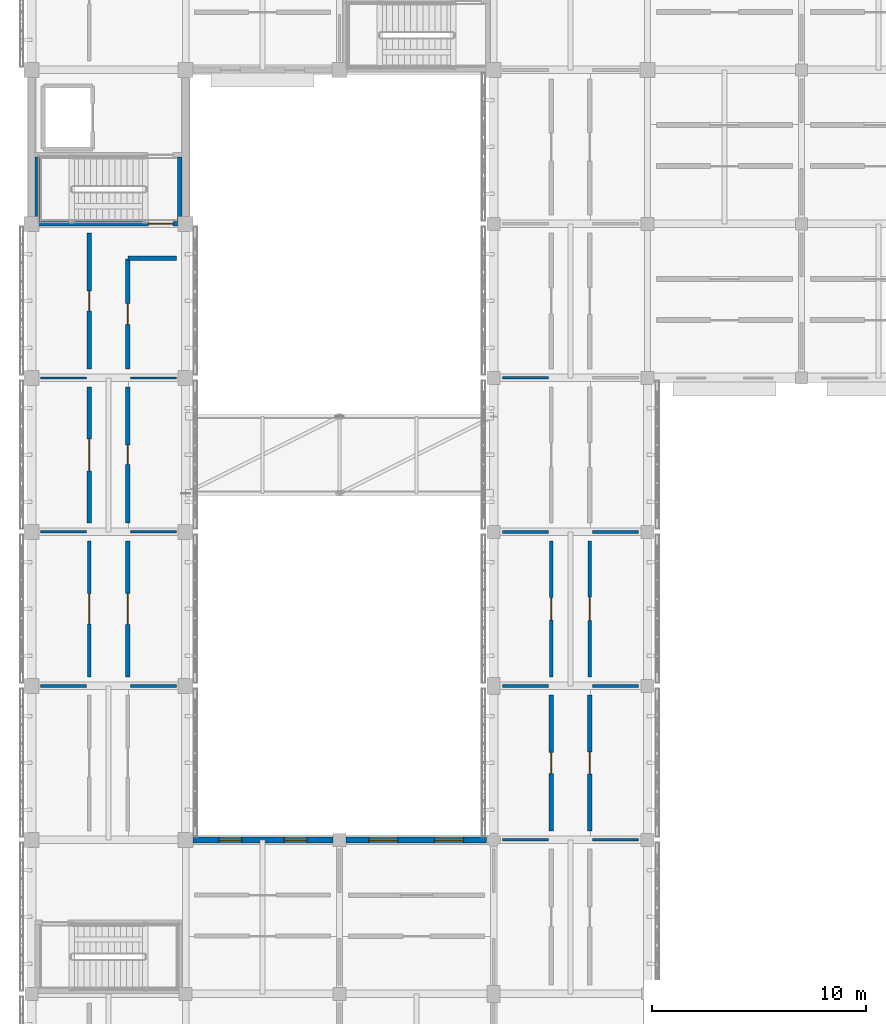
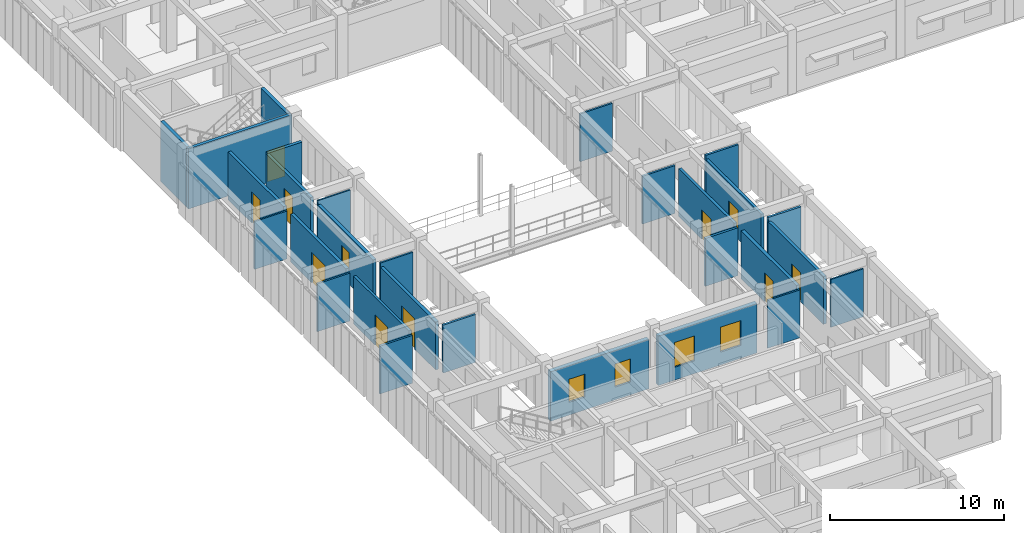
# One storey, part 123 of 171: 29 walls, 11 doors, 4 windows, 15 openings.
"""IFC4 building model written with IfcOpenShell, lengths in metres."""

from ifc_helpers import new_model, si_unit, direction, frame, frame_2d, origin, place, context, subcontext, project, spatial, rectangle, extrude, material, layer, layer_set, type_object, element, fill, save


model = new_model("IFC4")

# Units and contexts
model_context = context("Model", 3, precision=1e-05, world=origin(), true_north=direction((0.0, 1.0)))
body_context = subcontext(model_context, "Body", "Model", "MODEL_VIEW")
ifc_project = project(units=[si_unit("LENGTHUNIT", "METRE"), si_unit("AREAUNIT", "SQUARE_METRE"), si_unit("VOLUMEUNIT", "CUBIC_METRE"), si_unit("PLANEANGLEUNIT", "RADIAN"), si_unit("MASSUNIT", "GRAM", prefix="KILO")], contexts=[model_context])

# Site, building, storey
site_placement = place(None, origin())
site = spatial("IfcSite", under=ifc_project, at=site_placement, CompositionType="ELEMENT")
building_placement = place(site_placement, origin())
building = spatial("IfcBuilding", under=site, at=building_placement, Name="Aldebral Square Health Centre", CompositionType="ELEMENT")
storey_placement = place(building_placement, frame((0.0, 0.0, 4.5)))
storey = spatial("IfcBuildingStorey", under=building, at=storey_placement, Name="L01", CompositionType="ELEMENT", Elevation=4.5)

# Wall, openings, windows
ifc_material_1 = material(Name="Ochre mineral-rendered concrete C35/45 court wall", Category="concrete")
ifc_layer_1 = layer(ifc_material_1, 0.280029296875, Name="Ochre mineral-rendered concrete C35/45 court wall", Category="concrete")
ifc_layer_set_1 = layer_set([ifc_layer_1], Name="Ochre mineral-rendered concrete C35/45 court wall")
wall_type_1 = type_object("IfcWallType", Name="EW-OCH-280", PredefinedType="STANDARD", material=ifc_layer_set_1)
wall_1_placement = place(storey_placement, frame((14.10009765625, 64.800048828125, 0.0), z_axis=(0.0, 0.0, 1.0), x_axis=(-1.0, 0.0, 0.0)))
wall_1 = element("IfcWall", 1, at=wall_1_placement, inside=storey, type_object=wall_type_1, Name="L01 V4 exterior wall L01-V4-01-08-N", PredefinedType="STANDARD", context=body_context, shape_type="SweptSolid", body=[
    extrude(rectangle(XDim=6.550048828125, YDim=0.280029296875, at=frame_2d((3.27490234375, 0.0))), origin(), (0.0, 0.0, 1.0), 3.469970703125),
])
opening_1_placement = place(wall_1_placement, frame((1.22509765625, 0.0, 0.89990234375)))
opening_1 = element("IfcOpeningElement", 2, at=opening_1_placement, cuts=wall_1, Name="Opening W29", PredefinedType="OPENING", context=body_context, shape_type="SweptSolid", body=[
    extrude(rectangle(XDim=1.050048828125, YDim=1.6201171875, at=frame_2d((0.52490234375, 0.81005859375))), frame((0.0, 0.14990234375, 0.0), z_axis=(0.0, -1.0, 0.0), x_axis=(1.0, 0.0, 0.0)), (0.0, 0.0, 1.0), 0.300048828125),
])
opening_2_placement = place(wall_1_placement, frame((4.27490234375, 0.0, 0.89990234375)))
opening_2 = element("IfcOpeningElement", 3, at=opening_2_placement, cuts=wall_1, Name="Opening W29", PredefinedType="OPENING", context=body_context, shape_type="SweptSolid", body=[
    extrude(rectangle(XDim=1.050048828125, YDim=1.6201171875, at=frame_2d((0.52490234375, 0.81005859375))), frame((0.0, 0.14990234375, 0.0), z_axis=(0.0, -1.0, 0.0), x_axis=(1.0, 0.0, 0.0)), (0.0, 0.0, 1.0), 0.300048828125),
])
ifc_material_2 = material(Name="Thermally broken aluminium and low-E glass", Category="aluminium")
window_type_1 = type_object("IfcWindowType", Name="WIN-W29", PartitioningType="SINGLE_PANEL", PredefinedType="WINDOW", material=ifc_material_2)
window_1_placement = place(opening_1_placement, origin())
window_1 = element("IfcWindow", 4, at=window_1_placement, inside=storey, type_object=window_type_1, Name="L01 clinical window L01-V4-01-08-N.1", OverallHeight=1.6201171875, OverallWidth=1.050048828125, PartitioningType="SINGLE_PANEL", PredefinedType="WINDOW", context=body_context, shape_type="SweptSolid", body=[
    extrude(rectangle(XDim=1.050048828125, YDim=1.6201171875, at=frame_2d((0.52490234375, 0.81005859375))), frame((0.0, 0.030029296875, 0.0), z_axis=(0.0, -1.0, 0.0), x_axis=(1.0, 0.0, 0.0)), (0.0, 0.0, 1.0), 0.06005859375),
])
fill(opening_1, window_1)
window_2_placement = place(opening_2_placement, origin())
window_2 = element("IfcWindow", 5, at=window_2_placement, inside=storey, type_object=window_type_1, Name="L01 clinical window L01-V4-01-08-N.2", OverallHeight=1.6201171875, OverallWidth=1.050048828125, PartitioningType="SINGLE_PANEL", PredefinedType="WINDOW", context=body_context, shape_type="SweptSolid", body=[
    extrude(rectangle(XDim=1.050048828125, YDim=1.6201171875, at=frame_2d((0.52490234375, 0.81005859375))), frame((0.0, 0.030029296875, 0.0), z_axis=(0.0, -1.0, 0.0), x_axis=(1.0, 0.0, 0.0)), (0.0, 0.0, 1.0), 0.06005859375),
])
fill(opening_2, window_2)

wall_2_placement = place(storey_placement, frame((21.27490234375, 64.800048828125, 0.0), z_axis=(0.0, 0.0, 1.0), x_axis=(-1.0, 0.0, 0.0)))
wall_2 = element("IfcWall", 6, at=wall_2_placement, inside=storey, type_object=wall_type_1, Name="L01 V4 exterior wall L01-V4-02-08-N", PredefinedType="STANDARD", context=body_context, shape_type="SweptSolid", body=[
    extrude(rectangle(XDim=6.574951171875, YDim=0.280029296875, at=frame_2d((3.28759765625, 0.0))), origin(), (0.0, 0.0, 1.0), 3.469970703125),
])
opening_3_placement = place(wall_2_placement, frame((1.074951171875, 0.0, 0.89990234375)))
opening_3 = element("IfcOpeningElement", 7, at=opening_3_placement, cuts=wall_2, Name="Opening W40", PredefinedType="OPENING", context=body_context, shape_type="SweptSolid", body=[
    extrude(rectangle(XDim=1.35009765625, YDim=1.75, at=frame_2d((0.675048828125, 0.875))), frame((0.0, 0.14990234375, 0.0), z_axis=(0.0, -1.0, 0.0), x_axis=(1.0, 0.0, 0.0)), (0.0, 0.0, 1.0), 0.300048828125),
])
opening_4_placement = place(wall_2_placement, frame((4.14990234375, 0.0, 0.89990234375)))
opening_4 = element("IfcOpeningElement", 8, at=opening_4_placement, cuts=wall_2, Name="Opening W40", PredefinedType="OPENING", context=body_context, shape_type="SweptSolid", body=[
    extrude(rectangle(XDim=1.35009765625, YDim=1.75, at=frame_2d((0.675048828125, 0.875))), frame((0.0, 0.14990234375, 0.0), z_axis=(0.0, -1.0, 0.0), x_axis=(1.0, 0.0, 0.0)), (0.0, 0.0, 1.0), 0.300048828125),
])
window_type_2 = type_object("IfcWindowType", Name="WIN-W40", PartitioningType="SINGLE_PANEL", PredefinedType="WINDOW", material=ifc_material_2)
window_3_placement = place(opening_3_placement, origin())
window_3 = element("IfcWindow", 9, at=window_3_placement, inside=storey, type_object=window_type_2, Name="L01 clinical window L01-V4-02-08-N.1", OverallHeight=1.75, OverallWidth=1.35009765625, PartitioningType="SINGLE_PANEL", PredefinedType="WINDOW", context=body_context, shape_type="SweptSolid", body=[
    extrude(rectangle(XDim=1.35009765625, YDim=1.75, at=frame_2d((0.675048828125, 0.875))), frame((0.0, 0.030029296875, 0.0), z_axis=(0.0, -1.0, 0.0), x_axis=(1.0, 0.0, 0.0)), (0.0, 0.0, 1.0), 0.06005859375),
])
fill(opening_3, window_3)
window_4_placement = place(opening_4_placement, origin())
window_4 = element("IfcWindow", 10, at=window_4_placement, inside=storey, type_object=window_type_2, Name="L01 clinical window L01-V4-02-08-N.2", OverallHeight=1.75, OverallWidth=1.35009765625, PartitioningType="SINGLE_PANEL", PredefinedType="WINDOW", context=body_context, shape_type="SweptSolid", body=[
    extrude(rectangle(XDim=1.35009765625, YDim=1.75, at=frame_2d((0.675048828125, 0.875))), frame((0.0, 0.030029296875, 0.0), z_axis=(0.0, -1.0, 0.0), x_axis=(1.0, 0.0, 0.0)), (0.0, 0.0, 1.0), 0.06005859375),
])
fill(opening_4, window_4)

# Wall, opening, door
ifc_material_3 = material(Name="Concrete C35/45 compartment wall", Category="concrete")
ifc_layer_2 = layer(ifc_material_3, 0.199951171875, Name="Concrete C35/45 compartment wall", Category="concrete")
ifc_layer_set_2 = layer_set([ifc_layer_2], Name="Concrete C35/45 compartment wall")
wall_type_2 = type_object("IfcWallType", Name="IW-CMP-200", PredefinedType="SOLIDWALL", material=ifc_layer_set_2)
wall_3_placement = place(storey_placement, frame((2.699951171875, 86.820068359375, 0.0), z_axis=(0.0, 0.0, 1.0), x_axis=(0.0, 1.0, 0.0)))
wall_3 = element("IfcWall", 11, at=wall_3_placement, inside=storey, type_object=wall_type_2, Name="L01 Internal Medicine Clinic 1.13W corridor wall", PredefinedType="SOLIDWALL", context=body_context, shape_type="SweptSolid", body=[
    extrude(rectangle(XDim=6.35986328125, YDim=0.199951171875, at=frame_2d((3.179931640625, 0.0))), origin(), (0.0, 0.0, 1.0), 3.360107421875),
])
opening_5_placement = place(wall_3_placement, frame((2.7099609375, 0.0, 0.0)))
opening_5 = element("IfcOpeningElement", 12, at=opening_5_placement, cuts=wall_3, Name="Opening D-0271", PredefinedType="OPENING", context=body_context, shape_type="SweptSolid", body=[
    extrude(rectangle(XDim=0.93994140625, YDim=2.18994140625, at=frame_2d((0.469970703125, 1.094970703125))), frame((0.0, 0.10986328125, 0.0), z_axis=(0.0, -1.0, 0.0), x_axis=(1.0, 0.0, 0.0)), (0.0, 0.0, 1.0), 0.219970703125),
])
ifc_material_4 = material(Name="Clinical suite fire door")
door_type_1 = type_object("IfcDoorType", Name="ID-EXD-49", OperationType="NOTDEFINED", PredefinedType="DOOR", material=ifc_material_4)
door_1_placement = place(opening_5_placement, origin())
door_1 = element("IfcDoor", 13, at=door_1_placement, inside=storey, type_object=door_type_1, Name="L01 Internal Medicine Clinic 1.13W door", OperationType="SINGLE_SWING_RIGHT", OverallHeight=2.18994140625, OverallWidth=0.93994140625, PredefinedType="DOOR", context=body_context, shape_type="SweptSolid", body=[
    extrude(rectangle(XDim=0.93994140625, YDim=2.18994140625, at=frame_2d((0.469970703125, 1.094970703125))), frame((0.0, 0.02490234375, 0.0), z_axis=(0.0, -1.0, 0.0), x_axis=(1.0, 0.0, 0.0)), (0.0, 0.0, 1.0), 0.050048828125),
])
fill(opening_5, door_1)

wall_4_placement = place(storey_placement, frame((4.5, 86.820068359375, 0.0), z_axis=(0.0, 0.0, 1.0), x_axis=(0.0, 1.0, 0.0)))
wall_4 = element("IfcWall", 14, at=wall_4_placement, inside=storey, type_object=wall_type_2, Name="L01 Diabetic Foot Care Room 1.13E corridor wall", PredefinedType="SOLIDWALL", context=body_context, shape_type="SweptSolid", body=[
    extrude(rectangle(XDim=5.1298828125, YDim=0.199951171875, at=frame_2d((2.56494140625, 0.0))), origin(), (0.0, 0.0, 1.0), 3.360107421875),
])
opening_6_placement = place(wall_4_placement, frame((2.074951171875, 0.0, 0.0)))
opening_6 = element("IfcOpeningElement", 15, at=opening_6_placement, cuts=wall_4, Name="Opening D-0272", PredefinedType="OPENING", context=body_context, shape_type="SweptSolid", body=[
    extrude(rectangle(XDim=0.97998046875, YDim=2.18994140625, at=frame_2d((0.489990234375, 1.094970703125))), frame((0.0, 0.10986328125, 0.0), z_axis=(0.0, -1.0, 0.0), x_axis=(1.0, 0.0, 0.0)), (0.0, 0.0, 1.0), 0.219970703125),
])
door_type_2 = type_object("IfcDoorType", Name="ID-EXD-50", OperationType="NOTDEFINED", PredefinedType="DOOR", material=ifc_material_4)
door_2_placement = place(opening_6_placement, origin())
door_2 = element("IfcDoor", 16, at=door_2_placement, inside=storey, type_object=door_type_2, Name="L01 Diabetic Foot Care Room 1.13E door", OperationType="SINGLE_SWING_LEFT", OverallHeight=2.18994140625, OverallWidth=0.97998046875, PredefinedType="DOOR", context=body_context, shape_type="SweptSolid", body=[
    extrude(rectangle(XDim=0.97998046875, YDim=2.18994140625, at=frame_2d((0.489990234375, 1.094970703125))), frame((0.0, 0.02490234375, 0.0), z_axis=(0.0, -1.0, 0.0), x_axis=(1.0, 0.0, 0.0)), (0.0, 0.0, 1.0), 0.050048828125),
])
fill(opening_6, door_2)

wall_5_placement = place(storey_placement, frame((26.10009765625, 65.219970703125, 0.0), z_axis=(0.0, 0.0, 1.0), x_axis=(0.0, 1.0, 0.0)))
wall_5 = element("IfcWall", 17, at=wall_5_placement, inside=storey, type_object=wall_type_2, Name="L01 General Consulting Room 4.10E corridor wall", PredefinedType="SOLIDWALL", context=body_context, shape_type="SweptSolid", body=[
    extrude(rectangle(XDim=6.360107421875, YDim=0.199951171875, at=frame_2d((3.18017578125, 0.0))), origin(), (0.0, 0.0, 1.0), 3.360107421875),
])
opening_7_placement = place(wall_5_placement, frame((2.669921875, 0.0, 0.0)))
opening_7 = element("IfcOpeningElement", 18, at=opening_7_placement, cuts=wall_5, Name="Opening D-0294", PredefinedType="OPENING", context=body_context, shape_type="SweptSolid", body=[
    extrude(rectangle(XDim=1.02001953125, YDim=2.0400390625, at=frame_2d((0.510009765625, 1.02001953125))), frame((0.0, 0.10986328125, 0.0), z_axis=(0.0, -1.0, 0.0), x_axis=(1.0, 0.0, 0.0)), (0.0, 0.0, 1.0), 0.219970703125),
])
door_type_3 = type_object("IfcDoorType", Name="ID-EXD-03", OperationType="NOTDEFINED", PredefinedType="DOOR", material=ifc_material_4)
door_3_placement = place(opening_7_placement, origin())
door_3 = element("IfcDoor", 19, at=door_3_placement, inside=storey, type_object=door_type_3, Name="L01 General Consulting Room 4.10E door", OperationType="SINGLE_SWING_LEFT", OverallHeight=2.0400390625, OverallWidth=1.02001953125, PredefinedType="DOOR", context=body_context, shape_type="SweptSolid", body=[
    extrude(rectangle(XDim=1.02001953125, YDim=2.0400390625, at=frame_2d((0.510009765625, 1.02001953125))), frame((0.0, 0.02490234375, 0.0), z_axis=(0.0, -1.0, 0.0), x_axis=(1.0, 0.0, 0.0)), (0.0, 0.0, 1.0), 0.050048828125),
])
fill(opening_7, door_3)

ifc_layer_3 = layer(ifc_material_3, 0.219970703125, Name="Concrete C35/45 compartment wall", Category="concrete")
ifc_layer_set_3 = layer_set([ifc_layer_3], Name="Concrete C35/45 compartment wall")
wall_type_3 = type_object("IfcWallType", Name="IW-CMP-220", PredefinedType="SOLIDWALL", material=ifc_layer_set_3)
wall_6_placement = place(storey_placement, frame((4.5, 79.6201171875, 0.0), z_axis=(0.0, 0.0, 1.0), x_axis=(0.0, 1.0, 0.0)))
wall_6 = element("IfcWall", 20, at=wall_6_placement, inside=storey, type_object=wall_type_3, Name="L01 General Consulting Room 1.12E corridor wall", PredefinedType="SOLIDWALL", context=body_context, shape_type="SweptSolid", body=[
    extrude(rectangle(XDim=6.35986328125, YDim=0.219970703125, at=frame_2d((3.179931640625, 0.0))), origin(), (0.0, 0.0, 1.0), 3.360107421875),
])
opening_8_placement = place(wall_6_placement, frame((2.72998046875, 0.0, 0.0)))
opening_8 = element("IfcOpeningElement", 21, at=opening_8_placement, cuts=wall_6, Name="Opening D-0270", PredefinedType="OPENING", context=body_context, shape_type="SweptSolid", body=[
    extrude(rectangle(XDim=0.89990234375, YDim=2.18994140625, at=frame_2d((0.449951171875, 1.094970703125))), frame((0.0, 0.1201171875, 0.0), z_axis=(0.0, -1.0, 0.0), x_axis=(1.0, 0.0, 0.0)), (0.0, 0.0, 1.0), 0.239990234375),
])
door_type_4 = type_object("IfcDoorType", Name="ID-EXD-48", OperationType="NOTDEFINED", PredefinedType="DOOR", material=ifc_material_4)
door_4_placement = place(opening_8_placement, origin())
door_4 = element("IfcDoor", 22, at=door_4_placement, inside=storey, type_object=door_type_4, Name="L01 General Consulting Room 1.12E door", OperationType="SINGLE_SWING_LEFT", OverallHeight=2.18994140625, OverallWidth=0.89990234375, PredefinedType="DOOR", context=body_context, shape_type="SweptSolid", body=[
    extrude(rectangle(XDim=0.89990234375, YDim=2.18994140625, at=frame_2d((0.449951171875, 1.094970703125))), frame((0.0, 0.02490234375, 0.0), z_axis=(0.0, -1.0, 0.0), x_axis=(1.0, 0.0, 0.0)), (0.0, 0.0, 1.0), 0.050048828125),
])
fill(opening_8, door_4)

ifc_material_5 = material(Name="Fire-rated acoustic gypsum partition")
ifc_layer_4 = layer(ifc_material_5, 0.1650390625, Name="Fire-rated acoustic gypsum partition")
ifc_layer_set_4 = layer_set([ifc_layer_4], Name="Fire-rated acoustic gypsum partition")
wall_type_4 = type_object("IfcWallType", Name="IW-COR-165", PredefinedType="PARTITIONING", material=ifc_layer_set_4)
wall_7_placement = place(storey_placement, frame((2.699951171875, 72.419921875, 0.0), z_axis=(0.0, 0.0, 1.0), x_axis=(0.0, 1.0, 0.0)))
wall_7 = element("IfcWall", 23, at=wall_7_placement, inside=storey, type_object=wall_type_4, Name="L01 Outpatient Treatment Room 1.11W corridor wall", PredefinedType="PARTITIONING", context=body_context, shape_type="SweptSolid", body=[
    extrude(rectangle(XDim=6.360107421875, YDim=0.1650390625, at=frame_2d((3.18017578125, 0.0))), origin(), (0.0, 0.0, 1.0), 3.360107421875),
])
opening_9_placement = place(wall_7_placement, frame((2.469970703125, 0.0, 0.0)))
opening_9 = element("IfcOpeningElement", 24, at=opening_9_placement, cuts=wall_7, Name="Opening D-0267", PredefinedType="OPENING", context=body_context, shape_type="SweptSolid", body=[
    extrude(rectangle(XDim=1.419921875, YDim=2.139892578125, at=frame_2d((0.7099609375, 1.06982421875))), frame((0.0, 0.092529296875, 0.0), z_axis=(0.0, -1.0, 0.0), x_axis=(1.0, 0.0, 0.0)), (0.0, 0.0, 1.0), 0.18505859375),
])
door_type_5 = type_object("IfcDoorType", Name="ID-EXD-45", OperationType="NOTDEFINED", PredefinedType="DOOR", material=ifc_material_4)
door_5_placement = place(opening_9_placement, origin())
door_5 = element("IfcDoor", 25, at=door_5_placement, inside=storey, type_object=door_type_5, Name="L01 Outpatient Treatment Room 1.11W door", OperationType="SINGLE_SWING_RIGHT", OverallHeight=2.139892578125, OverallWidth=1.419921875, PredefinedType="DOOR", context=body_context, shape_type="SweptSolid", body=[
    extrude(rectangle(XDim=1.419921875, YDim=2.139892578125, at=frame_2d((0.7099609375, 1.06982421875))), frame((0.0, 0.02490234375, 0.0), z_axis=(0.0, -1.0, 0.0), x_axis=(1.0, 0.0, 0.0)), (0.0, 0.0, 1.0), 0.050048828125),
])
fill(opening_9, door_5)

ifc_layer_5 = layer(ifc_material_5, 0.179931640625, Name="Fire-rated acoustic gypsum partition")
ifc_layer_set_5 = layer_set([ifc_layer_5], Name="Fire-rated acoustic gypsum partition")
wall_type_5 = type_object("IfcWallType", Name="IW-COR-180", PredefinedType="PARTITIONING", material=ifc_layer_set_5)
wall_8_placement = place(storey_placement, frame((24.300048828125, 72.419921875, 0.0), z_axis=(0.0, 0.0, 1.0), x_axis=(0.0, 1.0, 0.0)))
wall_8 = element("IfcWall", 26, at=wall_8_placement, inside=storey, type_object=wall_type_5, Name="L01 Internal Medicine Clinic 4.11W corridor wall", PredefinedType="PARTITIONING", context=body_context, shape_type="SweptSolid", body=[
    extrude(rectangle(XDim=6.360107421875, YDim=0.179931640625, at=frame_2d((3.18017578125, 0.0))), origin(), (0.0, 0.0, 1.0), 3.360107421875),
])
opening_10_placement = place(wall_8_placement, frame((2.64990234375, 0.0, 0.0)))
opening_10 = element("IfcOpeningElement", 27, at=opening_10_placement, cuts=wall_8, Name="Opening D-0295", PredefinedType="OPENING", context=body_context, shape_type="SweptSolid", body=[
    extrude(rectangle(XDim=1.06005859375, YDim=2.0400390625, at=frame_2d((0.530029296875, 1.02001953125))), frame((0.0, 0.10009765625, 0.0), z_axis=(0.0, -1.0, 0.0), x_axis=(1.0, 0.0, 0.0)), (0.0, 0.0, 1.0), 0.199951171875),
])
door_type_6 = type_object("IfcDoorType", Name="ID-EXD-04", OperationType="NOTDEFINED", PredefinedType="DOOR", material=ifc_material_4)
door_6_placement = place(opening_10_placement, origin())
door_6 = element("IfcDoor", 28, at=door_6_placement, inside=storey, type_object=door_type_6, Name="L01 Internal Medicine Clinic 4.11W door", OperationType="SINGLE_SWING_RIGHT", OverallHeight=2.0400390625, OverallWidth=1.06005859375, PredefinedType="DOOR", context=body_context, shape_type="SweptSolid", body=[
    extrude(rectangle(XDim=1.06005859375, YDim=2.0400390625, at=frame_2d((0.530029296875, 1.02001953125))), frame((0.0, 0.02490234375, 0.0), z_axis=(0.0, -1.0, 0.0), x_axis=(1.0, 0.0, 0.0)), (0.0, 0.0, 1.0), 0.050048828125),
])
fill(opening_10, door_6)

wall_9_placement = place(storey_placement, frame((26.10009765625, 72.419921875, 0.0), z_axis=(0.0, 0.0, 1.0), x_axis=(0.0, 1.0, 0.0)))
wall_9 = element("IfcWall", 29, at=wall_9_placement, inside=storey, type_object=wall_type_5, Name="L01 Diabetic Foot Care Room 4.11E corridor wall", PredefinedType="PARTITIONING", context=body_context, shape_type="SweptSolid", body=[
    extrude(rectangle(XDim=6.360107421875, YDim=0.179931640625, at=frame_2d((3.18017578125, 0.0))), origin(), (0.0, 0.0, 1.0), 3.360107421875),
])
opening_11_placement = place(wall_9_placement, frame((2.6298828125, 0.0, 0.0)))
opening_11 = element("IfcOpeningElement", 30, at=opening_11_placement, cuts=wall_9, Name="Opening D-0296", PredefinedType="OPENING", context=body_context, shape_type="SweptSolid", body=[
    extrude(rectangle(XDim=1.10009765625, YDim=2.0400390625, at=frame_2d((0.550048828125, 1.02001953125))), frame((0.0, 0.10009765625, 0.0), z_axis=(0.0, -1.0, 0.0), x_axis=(1.0, 0.0, 0.0)), (0.0, 0.0, 1.0), 0.199951171875),
])
door_type_7 = type_object("IfcDoorType", Name="ID-EXD-05", OperationType="NOTDEFINED", PredefinedType="DOOR", material=ifc_material_4)
door_7_placement = place(opening_11_placement, origin())
door_7 = element("IfcDoor", 31, at=door_7_placement, inside=storey, type_object=door_type_7, Name="L01 Diabetic Foot Care Room 4.11E door", OperationType="SINGLE_SWING_LEFT", OverallHeight=2.0400390625, OverallWidth=1.10009765625, PredefinedType="DOOR", context=body_context, shape_type="SweptSolid", body=[
    extrude(rectangle(XDim=1.10009765625, YDim=2.0400390625, at=frame_2d((0.550048828125, 1.02001953125))), frame((0.0, 0.02490234375, 0.0), z_axis=(0.0, -1.0, 0.0), x_axis=(1.0, 0.0, 0.0)), (0.0, 0.0, 1.0), 0.050048828125),
])
fill(opening_11, door_7)

ifc_material_6 = material(Name="Concrete C40/50", Category="concrete")
ifc_layer_6 = layer(ifc_material_6, 0.219970703125, Name="Concrete C40/50", Category="concrete")
ifc_layer_set_6 = layer_set([ifc_layer_6], Name="Concrete C40/50")
wall_type_6 = type_object("IfcWallType", Name="IW-CORE-280", PredefinedType="SHEAR", material=ifc_layer_set_6)
wall_10_placement = place(storey_placement, frame((0.159912109375, 93.610107421875, 0.0), z_axis=(0.0, 0.0, 1.0), x_axis=(1.0, 0.0, 0.0)))
wall_10 = element("IfcWall", 32, at=wall_10_placement, inside=storey, type_object=wall_type_6, Name="L01 WC-C1 shaft wall S", PredefinedType="SHEAR", context=body_context, shape_type="SweptSolid", body=[
    extrude(rectangle(XDim=6.880126953125, YDim=0.219970703125, at=frame_2d((3.43994140625, 0.0))), origin(), (0.0, 0.0, 1.0), 4.219970703125),
])
opening_12_placement = place(wall_10_placement, frame((5.300048828125, 0.0, 0.0)))
opening_12 = element("IfcOpeningElement", 33, at=opening_12_placement, cuts=wall_10, Name="Opening D-0006", PredefinedType="OPENING", context=body_context, shape_type="SweptSolid", body=[
    extrude(rectangle(XDim=1.14990234375, YDim=2.14990234375, at=frame_2d((0.574951171875, 1.074951171875))), frame((0.0, 0.1201171875, 0.0), z_axis=(0.0, -1.0, 0.0), x_axis=(1.0, 0.0, 0.0)), (0.0, 0.0, 1.0), 0.239990234375),
])
ifc_material_7 = material(Name="Fire-rated steel lobby stair door", Category="steel")
door_type_8 = type_object("IfcDoorType", Name="ID-ST-115", OperationType="NOTDEFINED", PredefinedType="DOOR", material=ifc_material_7)
door_8_placement = place(opening_12_placement, origin())
door_8 = element("IfcDoor", 34, at=door_8_placement, inside=storey, type_object=door_type_8, Name="L01 ST-01 south lobby fire door", OperationType="SINGLE_SWING_LEFT", OverallHeight=2.14990234375, OverallWidth=1.14990234375, PredefinedType="DOOR", context=body_context, shape_type="SweptSolid", body=[
    extrude(rectangle(XDim=1.14990234375, YDim=2.14990234375, at=frame_2d((0.574951171875, 1.074951171875))), frame((0.0, 0.02490234375, 0.0), z_axis=(0.0, -1.0, 0.0), x_axis=(1.0, 0.0, 0.0)), (0.0, 0.0, 1.0), 0.050048828125),
])
fill(opening_12, door_8)

# Walls
for number, where, z_axis, x_axis, name in (
    (35, (0.27001953125, 93.719970703125, 0.0), (0.0, 0.0, 1.0), (0.0, 1.0, 0.0), "L01 WC-C1 shaft wall W"),
    (36, (6.929931640625, 93.719970703125, 0.0), (0.0, 0.0, 1.0), (0.0, 1.0, 0.0), "L01 WC-C1 shaft wall E"),
):
    element("IfcWall", number, at=place(storey_placement, frame(where, z_axis=z_axis, x_axis=x_axis)), inside=storey, type_object=wall_type_6, Name=name, PredefinedType="SHEAR", context=body_context, shape_type="SweptSolid", body=[
        extrude(rectangle(XDim=3.0, YDim=0.219970703125, at=frame_2d((1.5, 0.0))), origin(), (0.0, 0.0, 1.0), 4.219970703125),
    ])

# Wall, opening, door
ifc_material_8 = material(Name="Moisture-resistant sanitary chase wall")
ifc_layer_7 = layer(ifc_material_8, 0.2099609375, Name="Moisture-resistant sanitary chase wall")
ifc_layer_set_7 = layer_set([ifc_layer_7], Name="Moisture-resistant sanitary chase wall")
wall_type_7 = type_object("IfcWallType", Name="IW-PLB-210", PredefinedType="PLUMBINGWALL", material=ifc_layer_set_7)
wall_11_placement = place(storey_placement, frame((4.5, 72.419921875, 0.0), z_axis=(0.0, 0.0, 1.0), x_axis=(0.0, 1.0, 0.0)))
wall_11 = element("IfcWall", 37, at=wall_11_placement, inside=storey, type_object=wall_type_7, Name="L01 Accessible WC 1.11E corridor wall", PredefinedType="PLUMBINGWALL", context=body_context, shape_type="SweptSolid", body=[
    extrude(rectangle(XDim=6.360107421875, YDim=0.2099609375, at=frame_2d((3.18017578125, 0.0))), origin(), (0.0, 0.0, 1.0), 3.360107421875),
])
opening_13_placement = place(wall_11_placement, frame((2.449951171875, 0.0, 0.0)))
opening_13 = element("IfcOpeningElement", 38, at=opening_13_placement, cuts=wall_11, Name="Opening D-0268", PredefinedType="OPENING", context=body_context, shape_type="SweptSolid", body=[
    extrude(rectangle(XDim=1.4599609375, YDim=2.139892578125, at=frame_2d((0.72998046875, 1.06982421875))), frame((0.0, 0.114990234375, 0.0), z_axis=(0.0, -1.0, 0.0), x_axis=(1.0, 0.0, 0.0)), (0.0, 0.0, 1.0), 0.22998046875),
])
door_type_9 = type_object("IfcDoorType", Name="ID-EXD-46", OperationType="NOTDEFINED", PredefinedType="DOOR", material=ifc_material_4)
door_9_placement = place(opening_13_placement, origin())
door_9 = element("IfcDoor", 39, at=door_9_placement, inside=storey, type_object=door_type_9, Name="L01 Accessible WC 1.11E door", OperationType="SINGLE_SWING_LEFT", OverallHeight=2.139892578125, OverallWidth=1.4599609375, PredefinedType="DOOR", context=body_context, shape_type="SweptSolid", body=[
    extrude(rectangle(XDim=1.4599609375, YDim=2.139892578125, at=frame_2d((0.72998046875, 1.06982421875))), frame((0.0, 0.02490234375, 0.0), z_axis=(0.0, -1.0, 0.0), x_axis=(1.0, 0.0, 0.0)), (0.0, 0.0, 1.0), 0.050048828125),
])
fill(opening_13, door_9)

wall_12_placement = place(storey_placement, frame((2.699951171875, 79.6201171875, 0.0), z_axis=(0.0, 0.0, 1.0), x_axis=(0.0, 1.0, 0.0)))
wall_12 = element("IfcWall", 40, at=wall_12_placement, inside=storey, type_object=wall_type_7, Name="L01 Staff Toilet 1.12W corridor wall", PredefinedType="PLUMBINGWALL", context=body_context, shape_type="SweptSolid", body=[
    extrude(rectangle(XDim=6.35986328125, YDim=0.2099609375, at=frame_2d((3.179931640625, 0.0))), origin(), (0.0, 0.0, 1.0), 3.360107421875),
])
opening_14_placement = place(wall_12_placement, frame((2.429931640625, 0.0, 0.0)))
opening_14 = element("IfcOpeningElement", 41, at=opening_14_placement, cuts=wall_12, Name="Opening D-0269", PredefinedType="OPENING", context=body_context, shape_type="SweptSolid", body=[
    extrude(rectangle(XDim=1.5, YDim=2.139892578125, at=frame_2d((0.75, 1.06982421875))), frame((0.0, 0.114990234375, 0.0), z_axis=(0.0, -1.0, 0.0), x_axis=(1.0, 0.0, 0.0)), (0.0, 0.0, 1.0), 0.22998046875),
])
door_type_10 = type_object("IfcDoorType", Name="ID-EXD-47", OperationType="NOTDEFINED", PredefinedType="DOOR", material=ifc_material_4)
door_10_placement = place(opening_14_placement, origin())
door_10 = element("IfcDoor", 42, at=door_10_placement, inside=storey, type_object=door_type_10, Name="L01 Staff Toilet 1.12W door", OperationType="SINGLE_SWING_RIGHT", OverallHeight=2.139892578125, OverallWidth=1.5, PredefinedType="DOOR", context=body_context, shape_type="SweptSolid", body=[
    extrude(rectangle(XDim=1.5, YDim=2.139892578125, at=frame_2d((0.75, 1.06982421875))), frame((0.0, 0.02490234375, 0.0), z_axis=(0.0, -1.0, 0.0), x_axis=(1.0, 0.0, 0.0)), (0.0, 0.0, 1.0), 0.050048828125),
])
fill(opening_14, door_10)

# Wall
wall_13_placement = place(storey_placement, frame((4.5, 92.0, 0.0), z_axis=(0.0, 0.0, 1.0), x_axis=(1.0, 0.0, 0.0)))
element("IfcWall", 43, at=wall_13_placement, inside=storey, type_object=wall_type_7, Name="L01 Diabetic Foot Care Room 1.13E lobby return wall", PredefinedType="PLUMBINGWALL", context=body_context, shape_type="SweptSolid", body=[
    extrude(rectangle(XDim=2.280029296875, YDim=0.2099609375, at=frame_2d((1.14013671875, 0.0))), origin(), (0.0, 0.0, 1.0), 3.360107421875),
])

# Wall, opening, door
wall_14_placement = place(storey_placement, frame((24.300048828125, 65.219970703125, 0.0), z_axis=(0.0, 0.0, 1.0), x_axis=(0.0, 1.0, 0.0)))
wall_14 = element("IfcWall", 44, at=wall_14_placement, inside=storey, type_object=wall_type_7, Name="L01 Staff Toilet 4.10W corridor wall", PredefinedType="PLUMBINGWALL", context=body_context, shape_type="SweptSolid", body=[
    extrude(rectangle(XDim=6.360107421875, YDim=0.2099609375, at=frame_2d((3.18017578125, 0.0))), origin(), (0.0, 0.0, 1.0), 3.360107421875),
])
opening_15_placement = place(wall_14_placement, frame((2.68994140625, 0.0, 0.0)))
opening_15 = element("IfcOpeningElement", 45, at=opening_15_placement, cuts=wall_14, Name="Opening D-0293", PredefinedType="OPENING", context=body_context, shape_type="SweptSolid", body=[
    extrude(rectangle(XDim=0.97998046875, YDim=2.0400390625, at=frame_2d((0.489990234375, 1.02001953125))), frame((0.0, 0.114990234375, 0.0), z_axis=(0.0, -1.0, 0.0), x_axis=(1.0, 0.0, 0.0)), (0.0, 0.0, 1.0), 0.22998046875),
])
door_type_11 = type_object("IfcDoorType", Name="ID-EXD-02", OperationType="NOTDEFINED", PredefinedType="DOOR", material=ifc_material_4)
door_11_placement = place(opening_15_placement, origin())
door_11 = element("IfcDoor", 46, at=door_11_placement, inside=storey, type_object=door_type_11, Name="L01 Staff Toilet 4.10W door", OperationType="SINGLE_SWING_RIGHT", OverallHeight=2.0400390625, OverallWidth=0.97998046875, PredefinedType="DOOR", context=body_context, shape_type="SweptSolid", body=[
    extrude(rectangle(XDim=0.97998046875, YDim=2.0400390625, at=frame_2d((0.489990234375, 1.02001953125))), frame((0.0, 0.02490234375, 0.0), z_axis=(0.0, -1.0, 0.0), x_axis=(1.0, 0.0, 0.0)), (0.0, 0.0, 1.0), 0.050048828125),
])
fill(opening_15, door_11)

# Walls
ifc_material_9 = material(Name="Lightweight clinical partition")
ifc_layer_8 = layer(ifc_material_9, 0.10498046875, Name="Lightweight clinical partition")
ifc_layer_set_8 = layer_set([ifc_layer_8], Name="Lightweight clinical partition")
wall_type_8 = type_object("IfcWallType", Name="IW-PRT-105", PredefinedType="PARTITIONING", material=ifc_layer_set_8)
wall_15_placement = place(storey_placement, frame((0.419921875, 86.39990234375, 0.0), z_axis=(0.0, 0.0, 1.0), x_axis=(1.0, 0.0, 0.0)))
element("IfcWall", 47, at=wall_15_placement, inside=storey, type_object=wall_type_8, Name="L01 Staff Toilet 1.12W demising partition", PredefinedType="PARTITIONING", context=body_context, shape_type="SweptSolid", body=[
    extrude(rectangle(XDim=2.16015625, YDim=0.10498046875, at=frame_2d((1.080078125, 0.0))), origin(), (0.0, 0.0, 1.0), 3.360107421875),
])
for number, where, z_axis, x_axis, name in (
    (48, (4.6201171875, 86.39990234375, 0.0), (0.0, 0.0, 1.0), (1.0, 0.0, 0.0), "L01 General Consulting Room 1.12E demising partition"),
    (49, (22.02001953125, 64.800048828125, 0.0), (0.0, 0.0, 1.0), (1.0, 0.0, 0.0), "L01 Outpatient Treatment Room 4.9W demising partition"),
    (50, (26.219970703125, 64.800048828125, 0.0), (0.0, 0.0, 1.0), (1.0, 0.0, 0.0), "L01 Accessible WC 4.9E demising partition"),
):
    element("IfcWall", number, at=place(storey_placement, frame(where, z_axis=z_axis, x_axis=x_axis)), inside=storey, type_object=wall_type_8, Name=name, PredefinedType="PARTITIONING", context=body_context, shape_type="SweptSolid", body=[
        extrude(rectangle(XDim=2.159912109375, YDim=0.10498046875, at=frame_2d((1.080078125, 0.0))), origin(), (0.0, 0.0, 1.0), 3.360107421875),
    ])
ifc_material_10 = material(Name="Acoustic clinical gypsum partition")
ifc_layer_9 = layer(ifc_material_10, 0.1201171875, Name="Acoustic clinical gypsum partition")
ifc_layer_set_9 = layer_set([ifc_layer_9], Name="Acoustic clinical gypsum partition")
wall_type_9 = type_object("IfcWallType", Name="IW-PRT-120", PredefinedType="PARTITIONING", material=ifc_layer_set_9)
wall_16_placement = place(storey_placement, frame((0.419921875, 79.199951171875, 0.0), z_axis=(0.0, 0.0, 1.0), x_axis=(1.0, 0.0, 0.0)))
element("IfcWall", 51, at=wall_16_placement, inside=storey, type_object=wall_type_9, Name="L01 Outpatient Treatment Room 1.11W demising partition", PredefinedType="PARTITIONING", context=body_context, shape_type="SweptSolid", body=[
    extrude(rectangle(XDim=2.16015625, YDim=0.1201171875, at=frame_2d((1.080078125, 0.0))), origin(), (0.0, 0.0, 1.0), 3.360107421875),
])
for number, where, z_axis, x_axis, name in (
    (52, (4.6201171875, 79.199951171875, 0.0), (0.0, 0.0, 1.0), (1.0, 0.0, 0.0), "L01 Accessible WC 1.11E demising partition"),
    (53, (22.02001953125, 86.39990234375, 0.0), (0.0, 0.0, 1.0), (1.0, 0.0, 0.0), "L01 Outpatient Treatment Room 4.12W demising partition"),
):
    element("IfcWall", number, at=place(storey_placement, frame(where, z_axis=z_axis, x_axis=x_axis)), inside=storey, type_object=wall_type_9, Name=name, PredefinedType="PARTITIONING", context=body_context, shape_type="SweptSolid", body=[
        extrude(rectangle(XDim=2.159912109375, YDim=0.1201171875, at=frame_2d((1.080078125, 0.0))), origin(), (0.0, 0.0, 1.0), 3.360107421875),
    ])
ifc_layer_10 = layer(ifc_material_10, 0.135009765625, Name="Acoustic clinical gypsum partition")
ifc_layer_set_10 = layer_set([ifc_layer_10], Name="Acoustic clinical gypsum partition")
wall_type_10 = type_object("IfcWallType", Name="IW-PRT-135", PredefinedType="PARTITIONING", material=ifc_layer_set_10)
wall_17_placement = place(storey_placement, frame((0.419921875, 72.0, 0.0), z_axis=(0.0, 0.0, 1.0), x_axis=(1.0, 0.0, 0.0)))
element("IfcWall", 54, at=wall_17_placement, inside=storey, type_object=wall_type_10, Name="L01 Internal Medicine Clinic 1.10W demising partition", PredefinedType="PARTITIONING", context=body_context, shape_type="SweptSolid", body=[
    extrude(rectangle(XDim=2.16015625, YDim=0.135009765625, at=frame_2d((1.080078125, 0.0))), origin(), (0.0, 0.0, 1.0), 3.360107421875),
])
for number, where, z_axis, x_axis, name in (
    (55, (4.6201171875, 72.0, 0.0), (0.0, 0.0, 1.0), (1.0, 0.0, 0.0), "L01 Diabetic Foot Care Room 1.10E demising partition"),
    (56, (22.02001953125, 79.199951171875, 0.0), (0.0, 0.0, 1.0), (1.0, 0.0, 0.0), "L01 Internal Medicine Clinic 4.11W demising partition"),
    (57, (26.219970703125, 79.199951171875, 0.0), (0.0, 0.0, 1.0), (1.0, 0.0, 0.0), "L01 Diabetic Foot Care Room 4.11E demising partition"),
):
    element("IfcWall", number, at=place(storey_placement, frame(where, z_axis=z_axis, x_axis=x_axis)), inside=storey, type_object=wall_type_10, Name=name, PredefinedType="PARTITIONING", context=body_context, shape_type="SweptSolid", body=[
        extrude(rectangle(XDim=2.159912109375, YDim=0.135009765625, at=frame_2d((1.080078125, 0.0))), origin(), (0.0, 0.0, 1.0), 3.360107421875),
    ])
ifc_layer_11 = layer(ifc_material_10, 0.14990234375, Name="Acoustic clinical gypsum partition")
ifc_layer_set_11 = layer_set([ifc_layer_11], Name="Acoustic clinical gypsum partition")
wall_type_11 = type_object("IfcWallType", Name="IW-PRT-150", PredefinedType="PARTITIONING", material=ifc_layer_set_11)
for number, where, z_axis, x_axis, name in (
    (58, (22.02001953125, 72.0, 0.0), (0.0, 0.0, 1.0), (1.0, 0.0, 0.0), "L01 Staff Toilet 4.10W demising partition"),
    (59, (26.219970703125, 72.0, 0.0), (0.0, 0.0, 1.0), (1.0, 0.0, 0.0), "L01 General Consulting Room 4.10E demising partition"),
):
    element("IfcWall", number, at=place(storey_placement, frame(where, z_axis=z_axis, x_axis=x_axis)), inside=storey, type_object=wall_type_11, Name=name, PredefinedType="PARTITIONING", context=body_context, shape_type="SweptSolid", body=[
        extrude(rectangle(XDim=2.159912109375, YDim=0.14990234375, at=frame_2d((1.080078125, 0.0))), origin(), (0.0, 0.0, 1.0), 3.360107421875),
    ])

save(model, "model.ifc")
